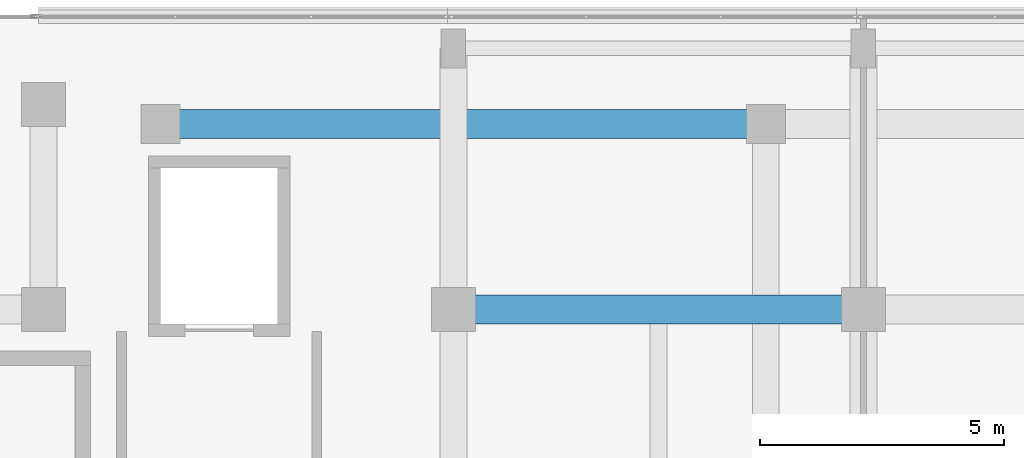
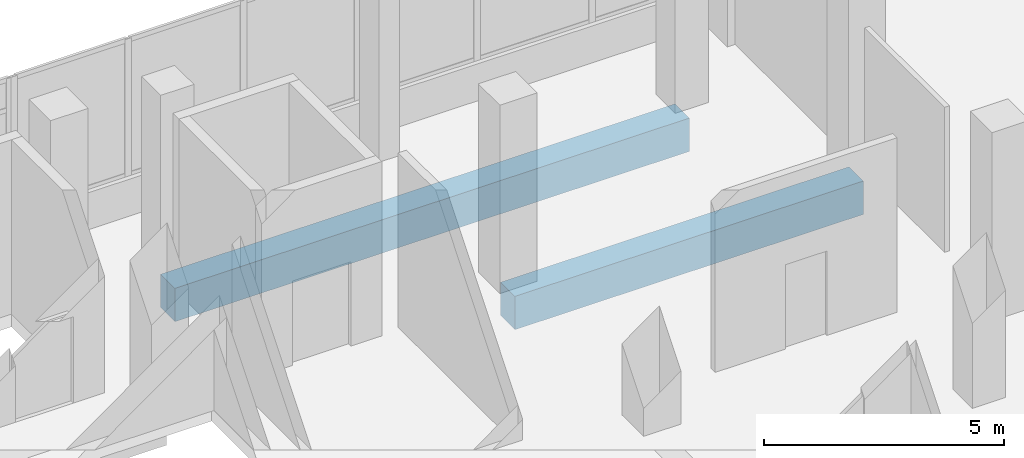
# One storey, part 85 of 168: 2 beams.
"""IFC4 building model written with IfcOpenShell, lengths in metres."""

from ifc_helpers import new_model, si_unit, direction, frame, origin, origin_2d, place, context, subcontext, project, spatial, rectangle, extrude, material, material_profile, profile_set, type_object, element, save


model = new_model("IFC4")

# Units and contexts
model_context = context("Model", 3, precision=1e-05, world=origin(), true_north=direction((0.0, 1.0)))
body_context = subcontext(model_context, "Body", "Model", "MODEL_VIEW")
ifc_project = project(units=[si_unit("LENGTHUNIT", "METRE"), si_unit("AREAUNIT", "SQUARE_METRE"), si_unit("VOLUMEUNIT", "CUBIC_METRE"), si_unit("PLANEANGLEUNIT", "RADIAN"), si_unit("MASSUNIT", "GRAM", prefix="KILO")], contexts=[model_context])

# Site, building, storey
site_placement = place(None, origin())
site = spatial("IfcSite", under=ifc_project, at=site_placement, CompositionType="ELEMENT")
building_placement = place(site_placement, origin())
building = spatial("IfcBuilding", under=site, at=building_placement, Name="Selatvlak General Hospital", CompositionType="ELEMENT")
storey_placement = place(building_placement, frame((0.0, 0.0, 5.39990234375)))
storey = spatial("IfcBuildingStorey", under=building, at=storey_placement, Name="L01", CompositionType="ELEMENT", Elevation=5.39990234375)

# Beams
ifc_material = material(Name="Concrete C40/50", Category="concrete")
ifc_material_profile = material_profile(ifc_material, rectangle(XDim=0.60009765625, YDim=0.85009765625, at=origin_2d()), Name="RC-BM 600x850")
ifc_profile_set = profile_set([ifc_material_profile], Name="Concrete C40/50")
beam_type = type_object("IfcBeamType", Name="BM-G01", PredefinedType="BEAM", material=ifc_profile_set)
beam_1_placement = place(storey_placement, frame((64.800048828125, 114.0, -0.744873046875), z_axis=(1.0, 0.0, 0.0), x_axis=(0.0, 1.0, 0.0)))
element("IfcBeam", 1, at=beam_1_placement, inside=storey, type_object=beam_type, Name="Beam BMR-L01-0515", PredefinedType="BEAM", context=body_context, shape_type="SweptSolid", body=[
    extrude(rectangle(XDim=0.60009765625, YDim=0.85009765625, at=origin_2d()), origin(), (0.0, 0.0, 1.0), 8.39990234375),
])
beam_2_placement = place(storey_placement, frame((58.800048828125, 117.800048828125, -0.744873046875), z_axis=(1.0, 0.0, 0.0), x_axis=(0.0, 1.0, 0.0)))
element("IfcBeam", 2, at=beam_2_placement, inside=storey, type_object=beam_type, Name="Beam BMR-L01-0524", PredefinedType="BEAM", context=body_context, shape_type="SweptSolid", body=[
    extrude(rectangle(XDim=0.60009765625, YDim=0.85009765625, at=origin_2d()), origin(), (0.0, 0.0, 1.0), 12.39990234375),
])

save(model, "model.ifc")
